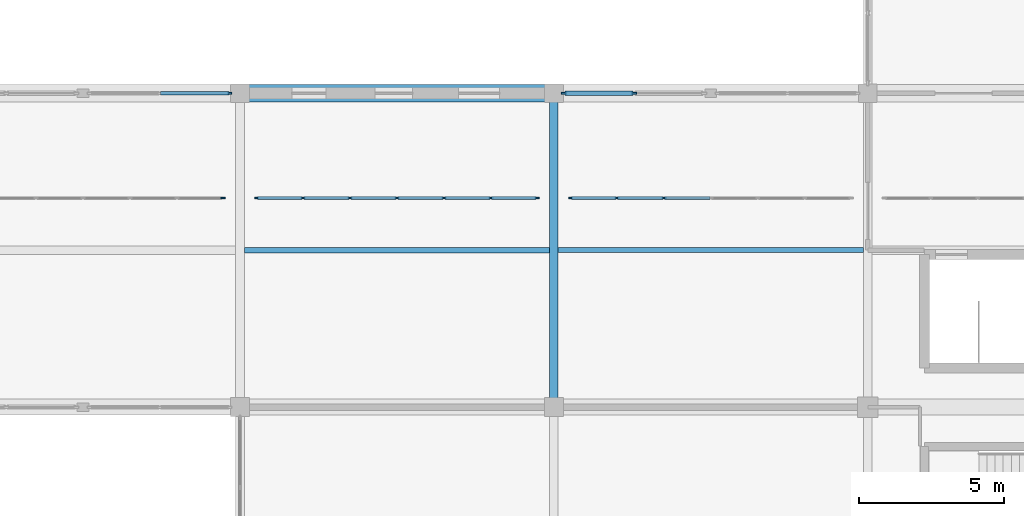
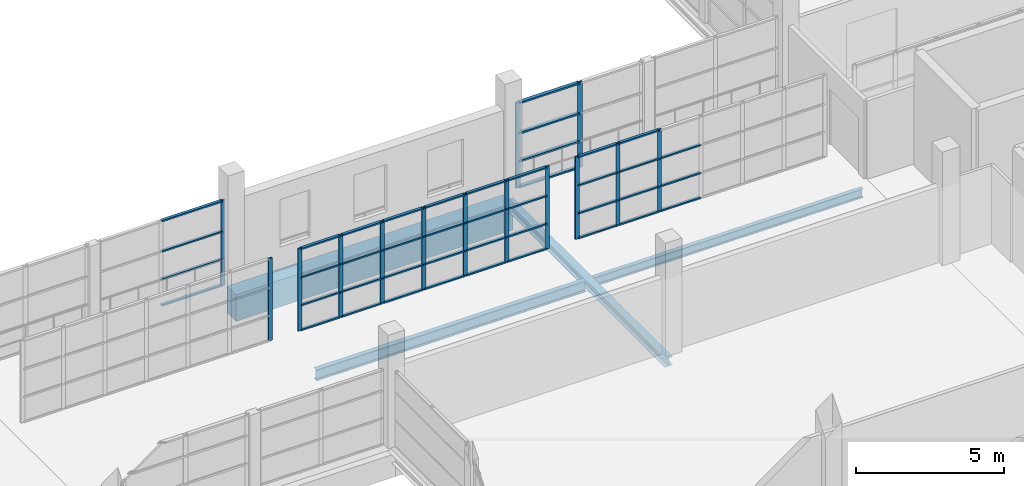
# One storey, part 59 of 142: 57 members, 4 beams, 5 elements without a shape of their own.
"""IFC4 building model written with IfcOpenShell, lengths in metres."""

from ifc_helpers import new_model, si_unit, direction, frame, origin, origin_2d, place, context, subcontext, project, spatial, rectangle, i_section, extrude, material, material_profile, profile_set, type_object, element, aggregate, save


model = new_model("IFC4")

# Units and contexts
model_context = context("Model", 3, precision=1e-05, world=origin(), true_north=direction((0.0, 1.0)))
body_context = subcontext(model_context, "Body", "Model", "MODEL_VIEW")
ifc_project = project(units=[si_unit("LENGTHUNIT", "METRE"), si_unit("AREAUNIT", "SQUARE_METRE"), si_unit("VOLUMEUNIT", "CUBIC_METRE"), si_unit("PLANEANGLEUNIT", "RADIAN"), si_unit("MASSUNIT", "GRAM", prefix="KILO")], contexts=[model_context])

# Site, building, storey
site_placement = place(None, origin())
site = spatial("IfcSite", under=ifc_project, at=site_placement, CompositionType="ELEMENT")
building_placement = place(site_placement, origin())
building = spatial("IfcBuilding", under=site, at=building_placement, Name="Zwinboog Wholesale Market", CompositionType="ELEMENT")
storey_placement = place(building_placement, frame((0.0, 0.0, 5.39990234375)))
storey = spatial("IfcBuildingStorey", under=building, at=storey_placement, Name="L01", CompositionType="ELEMENT", Elevation=5.39990234375)

# Beams
ifc_material_1 = material(Name="Precast concrete C45/55", Category="concrete")
ifc_material_profile_1 = material_profile(ifc_material_1, rectangle(XDim=0.60009765625, YDim=1.10009765625, at=origin_2d()), Name="PC 600x1100")
ifc_profile_set_1 = profile_set([ifc_material_profile_1], Name="Precast concrete C45/55")
beam_type_1 = type_object("IfcBeamType", Name="BT-01", PredefinedType="BEAM", material=ifc_profile_set_1)
beam_1_placement = place(storey_placement, frame((129.60009765625, 54.0, -0.8818359375), z_axis=(1.0, 0.0, 0.0), x_axis=(0.0, 1.0, 0.0)))
element("IfcBeam", 1, at=beam_1_placement, inside=storey, type_object=beam_type_1, Name="BG-01 (BMG-L01-1296-0540-0485)", PredefinedType="BEAM", context=body_context, shape_type="SweptSolid", body=[
    extrude(rectangle(XDim=0.60009765625, YDim=1.10009765625, at=origin_2d()), origin(), (0.0, 0.0, 1.0), 10.7998046875),
])
ifc_material_2 = material(Name="Steel S355", Category="steel")
ifc_material_profile_2 = material_profile(ifc_material_2, i_section(OverallWidth=0.300048828125, OverallDepth=0.35009765625, WebThickness=0.010009765625, FlangeThickness=0.017578125, FilletRadius=0.027099609375, at=origin_2d()), Name="HEA 360")
ifc_profile_set_2 = profile_set([ifc_material_profile_2], Name="Steel S355")
beam_type_2 = type_object("IfcBeamType", Name="BT-17", PredefinedType="BEAM", material=ifc_profile_set_2)
beam_2_placement = place(storey_placement, frame((140.39990234375, 43.199951171875, -0.5068359375), z_axis=(0.0, 1.0, 0.0), x_axis=(-1.0, 0.0, 0.0)))
element("IfcBeam", 2, at=beam_2_placement, inside=storey, type_object=beam_type_2, Name="SB-04 (BMG-L01-1404-0432-0716)", PredefinedType="BEAM", context=body_context, shape_type="SweptSolid", body=[
    extrude(i_section(OverallWidth=0.300048828125, OverallDepth=0.35009765625, WebThickness=0.010009765625, FlangeThickness=0.017578125, FilletRadius=0.027099609375, at=origin_2d()), origin(), (0.0, 0.0, 1.0), 10.800048828125),
])
ifc_material_profile_3 = material_profile(ifc_material_2, i_section(OverallWidth=0.18994140625, OverallDepth=0.449951171875, WebThickness=0.009521484375, FlangeThickness=0.0146484375, FilletRadius=0.02099609375, at=origin_2d()), Name="IPE 450")
ifc_profile_set_3 = profile_set([ifc_material_profile_3], Name="Steel S355")
beam_type_3 = type_object("IfcBeamType", Name="BT-19", PredefinedType="JOIST", material=ifc_profile_set_3)
beam_3_placement = place(storey_placement, frame((129.75, 48.60009765625, -0.556884765625), z_axis=(1.0, 0.0, 0.0), x_axis=(0.0, 1.0, 0.0)))
element("IfcBeam", 3, at=beam_3_placement, inside=storey, type_object=beam_type_3, Name="SJ-02 (BMG-L01-1298-0486-0832)", PredefinedType="JOIST", context=body_context, shape_type="SweptSolid", body=[
    extrude(i_section(OverallWidth=0.18994140625, OverallDepth=0.449951171875, WebThickness=0.009521484375, FlangeThickness=0.0146484375, FilletRadius=0.02099609375, at=origin_2d()), origin(), (0.0, 0.0, 1.0), 10.5),
])
ifc_material_profile_4 = material_profile(ifc_material_2, i_section(OverallWidth=0.169921875, OverallDepth=0.360107421875, WebThickness=0.008056640625, FlangeThickness=0.0126953125, FilletRadius=0.01806640625, at=origin_2d()), Name="IPE 360")
ifc_profile_set_4 = profile_set([ifc_material_profile_4], Name="Steel S355")
beam_type_4 = type_object("IfcBeamType", Name="BT-20", PredefinedType="JOIST", material=ifc_profile_set_4)
beam_4_placement = place(storey_placement, frame((140.550048828125, 48.60009765625, -0.511962890625), z_axis=(1.0, 0.0, 0.0), x_axis=(0.0, 1.0, 0.0)))
element("IfcBeam", 4, at=beam_4_placement, inside=storey, type_object=beam_type_4, Name="SJ-03 (BMG-L01-1406-0486-0833)", PredefinedType="JOIST", context=body_context, shape_type="SweptSolid", body=[
    extrude(i_section(OverallWidth=0.169921875, OverallDepth=0.360107421875, WebThickness=0.008056640625, FlangeThickness=0.0126953125, FilletRadius=0.01806640625, at=origin_2d()), origin(), (0.0, 0.0, 1.0), 10.5),
])

# Curtain wall, members
ifc_material_3 = material(Name="Aluminium thermally broken curtain wall", Category="aluminium")
curtain_wall_type_1 = type_object("IfcCurtainWallType", Name="CWT-HALL-24", PredefinedType="USERDEFINED", material=ifc_material_3)
curtain_wall_1_placement = place(storey_placement, origin())
curtain_wall_1 = element("IfcCurtainWall", 5, at=curtain_wall_1_placement, inside=storey, type_object=curtain_wall_type_1, Name="CW-03 (CW-L01-123)", ObjectType="UNITIZED_CURTAIN_WALL", PredefinedType="USERDEFINED")
ifc_material_4 = material(Name="Aluminium EN AW-6060", Category="aluminium")
ifc_material_profile_5 = material_profile(ifc_material_4, rectangle(XDim=0.06494140625, YDim=0.179931640625, at=origin_2d()), Name="AL 65x180")
ifc_profile_set_5 = profile_set([ifc_material_profile_5], Name="Aluminium EN AW-6060")
member_type_1 = type_object("IfcMemberType", Name="CWM-65x180", PredefinedType="MULLION", material=ifc_profile_set_5)
member_1_placement = place(storey_placement, frame((140.75244140625, 54.0, 0.0), z_axis=(0.0, 0.0, 1.0), x_axis=(0.0, 1.0, 0.0)))
member_1 = element("IfcMember", 6, at=member_1_placement, type_object=member_type_1, Name="CW-03 mullion 1", PredefinedType="MULLION", context=body_context, shape_type="SweptSolid", body=[
    extrude(rectangle(XDim=0.06494140625, YDim=0.179931640625, at=origin_2d()), origin(), (0.0, 0.0, 1.0), 3.530029296875),
])
member_2_placement = place(storey_placement, frame((143.159912109375, 54.0, 0.0), z_axis=(0.0, 0.0, 1.0), x_axis=(0.0, 1.0, 0.0)))
member_2 = element("IfcMember", 7, at=member_2_placement, type_object=member_type_1, Name="CW-03 mullion 2", PredefinedType="MULLION", context=body_context, shape_type="SweptSolid", body=[
    extrude(rectangle(XDim=0.06494140625, YDim=0.179931640625, at=origin_2d()), origin(), (0.0, 0.0, 1.0), 3.530029296875),
])

# Curtain wall, member
curtain_wall_type_2 = type_object("IfcCurtainWallType", Name="CWT-GAL-16", PredefinedType="USERDEFINED", material=ifc_material_3)
curtain_wall_2_placement = place(storey_placement, origin())
curtain_wall_2 = element("IfcCurtainWall", 8, at=curtain_wall_2_placement, inside=storey, type_object=curtain_wall_type_2, Name="CW-04 (CW-L01-112)", ObjectType="UNITIZED_CURTAIN_WALL", PredefinedType="USERDEFINED")
ifc_material_profile_6 = material_profile(ifc_material_4, rectangle(XDim=0.06005859375, YDim=0.14990234375, at=origin_2d()), Name="AL 60x150")
ifc_profile_set_6 = profile_set([ifc_material_profile_6], Name="Aluminium EN AW-6060")
member_type_2 = type_object("IfcMemberType", Name="CWM-60x150", PredefinedType="MULLION", material=ifc_profile_set_6)
member_3_placement = place(storey_placement, frame((129.25, 54.0, 0.0), z_axis=(0.0, 0.0, 1.0), x_axis=(0.0, 1.0, 0.0)))
member_3 = element("IfcMember", 9, at=member_3_placement, type_object=member_type_2, Name="CW-04 mullion 3", PredefinedType="MULLION", context=body_context, shape_type="SweptSolid", body=[
    extrude(rectangle(XDim=0.06005859375, YDim=0.14990234375, at=origin_2d()), origin(), (0.0, 0.0, 1.0), 3.530029296875),
])

# Member
ifc_material_profile_7 = material_profile(ifc_material_4, rectangle(XDim=0.139892578125, YDim=0.06494140625, at=origin_2d()), Name="AL 65x140")
ifc_profile_set_7 = profile_set([ifc_material_profile_7], Name="Aluminium EN AW-6060")
member_type_3 = type_object("IfcMemberType", Name="CWT-65x140", PredefinedType="USERDEFINED", material=ifc_profile_set_7)
member_4_placement = place(storey_placement, frame((140.784912109375, 54.0, 0.03271484375), z_axis=(1.0, 0.0, 0.0), x_axis=(0.0, 1.0, 0.0)))
member_4 = element("IfcMember", 10, at=member_4_placement, type_object=member_type_3, Name="CW-03 transom 1.1", ObjectType="TRANSOM", PredefinedType="USERDEFINED", context=body_context, shape_type="SweptSolid", body=[
    extrude(rectangle(XDim=0.139892578125, YDim=0.06494140625, at=origin_2d()), origin(), (0.0, 0.0, 1.0), 2.342529296875),
])

member_5_placement = place(storey_placement, frame((140.784912109375, 54.0, 1.10009765625), z_axis=(1.0, 0.0, 0.0), x_axis=(0.0, 1.0, 0.0)))
member_5 = element("IfcMember", 11, at=member_5_placement, type_object=member_type_3, Name="CW-03 transom 1.2", ObjectType="TRANSOM", PredefinedType="USERDEFINED", context=body_context, shape_type="SweptSolid", body=[
    extrude(rectangle(XDim=0.139892578125, YDim=0.06494140625, at=origin_2d()), origin(), (0.0, 0.0, 1.0), 2.342529296875),
])

member_6_placement = place(storey_placement, frame((140.784912109375, 54.0, 2.25), z_axis=(1.0, 0.0, 0.0), x_axis=(0.0, 1.0, 0.0)))
member_6 = element("IfcMember", 12, at=member_6_placement, type_object=member_type_3, Name="CW-03 transom 1.3", ObjectType="TRANSOM", PredefinedType="USERDEFINED", context=body_context, shape_type="SweptSolid", body=[
    extrude(rectangle(XDim=0.139892578125, YDim=0.06494140625, at=origin_2d()), origin(), (0.0, 0.0, 1.0), 2.342529296875),
])

member_7_placement = place(storey_placement, frame((140.784912109375, 54.0, 3.49755859375), z_axis=(1.0, 0.0, 0.0), x_axis=(0.0, 1.0, 0.0)))
member_7 = element("IfcMember", 13, at=member_7_placement, type_object=member_type_3, Name="CW-03 transom 1.4", ObjectType="TRANSOM", PredefinedType="USERDEFINED", context=body_context, shape_type="SweptSolid", body=[
    extrude(rectangle(XDim=0.139892578125, YDim=0.06494140625, at=origin_2d()), origin(), (0.0, 0.0, 1.0), 2.342529296875),
])

aggregate(curtain_wall_1, [member_1, member_2, member_4, member_5, member_6, member_7])

ifc_material_profile_8 = material_profile(ifc_material_4, rectangle(XDim=0.110107421875, YDim=0.06005859375, at=origin_2d()), Name="AL 60x110")
ifc_profile_set_8 = profile_set([ifc_material_profile_8], Name="Aluminium EN AW-6060")
member_type_4 = type_object("IfcMemberType", Name="CWT-60x110", PredefinedType="USERDEFINED", material=ifc_profile_set_8)
member_8_placement = place(storey_placement, frame((126.8701171875, 54.0, 0.030029296875), z_axis=(1.0, 0.0, 0.0), x_axis=(0.0, 1.0, 0.0)))
member_8 = element("IfcMember", 14, at=member_8_placement, type_object=member_type_4, Name="CW-04 transom 2.1", ObjectType="TRANSOM", PredefinedType="USERDEFINED", context=body_context, shape_type="SweptSolid", body=[
    extrude(rectangle(XDim=0.110107421875, YDim=0.06005859375, at=origin_2d()), origin(), (0.0, 0.0, 1.0), 2.349853515625),
])

member_9_placement = place(storey_placement, frame((126.8701171875, 54.0, 1.10009765625), z_axis=(1.0, 0.0, 0.0), x_axis=(0.0, 1.0, 0.0)))
member_9 = element("IfcMember", 15, at=member_9_placement, type_object=member_type_4, Name="CW-04 transom 2.2", ObjectType="TRANSOM", PredefinedType="USERDEFINED", context=body_context, shape_type="SweptSolid", body=[
    extrude(rectangle(XDim=0.110107421875, YDim=0.06005859375, at=origin_2d()), origin(), (0.0, 0.0, 1.0), 2.349853515625),
])

member_10_placement = place(storey_placement, frame((126.8701171875, 54.0, 2.25), z_axis=(1.0, 0.0, 0.0), x_axis=(0.0, 1.0, 0.0)))
member_10 = element("IfcMember", 16, at=member_10_placement, type_object=member_type_4, Name="CW-04 transom 2.3", ObjectType="TRANSOM", PredefinedType="USERDEFINED", context=body_context, shape_type="SweptSolid", body=[
    extrude(rectangle(XDim=0.110107421875, YDim=0.06005859375, at=origin_2d()), origin(), (0.0, 0.0, 1.0), 2.349853515625),
])

member_11_placement = place(storey_placement, frame((126.8701171875, 54.0, 3.5), z_axis=(1.0, 0.0, 0.0), x_axis=(0.0, 1.0, 0.0)))
member_11 = element("IfcMember", 17, at=member_11_placement, type_object=member_type_4, Name="CW-04 transom 2.4", ObjectType="TRANSOM", PredefinedType="USERDEFINED", context=body_context, shape_type="SweptSolid", body=[
    extrude(rectangle(XDim=0.110107421875, YDim=0.06005859375, at=origin_2d()), origin(), (0.0, 0.0, 1.0), 2.349853515625),
])

aggregate(curtain_wall_2, [member_3, member_8, member_9, member_10, member_11])

# Curtain wall, member
curtain_wall_type_3 = type_object("IfcCurtainWallType", Name="CWT-INT-STALL", PredefinedType="USERDEFINED", material=ifc_material_3)
curtain_wall_3_placement = place(storey_placement, origin())
curtain_wall_3 = element("IfcCurtainWall", 18, at=curtain_wall_3_placement, inside=storey, type_object=curtain_wall_type_3, Name="CW-07 (CW-STL-230)", ObjectType="STOREFRONT_GLAZING", PredefinedType="USERDEFINED")
ifc_material_profile_9 = material_profile(ifc_material_4, rectangle(XDim=0.06005859375, YDim=0.14990234375, at=origin_2d()), Name="AL 60x150")
ifc_profile_set_9 = profile_set([ifc_material_profile_9], Name="Aluminium EN AW-6060")
member_type_5 = type_object("IfcMemberType", Name="CWM-INT-60x120", PredefinedType="MULLION", material=ifc_profile_set_9)
member_12_placement = place(storey_placement, frame((129.02001953125, 50.39990234375, 0.0), z_axis=(0.0, 0.0, 1.0), x_axis=(0.0, 1.0, 0.0)))
member_12 = element("IfcMember", 19, at=member_12_placement, type_object=member_type_5, Name="CW-07 mullion 7", PredefinedType="MULLION", context=body_context, shape_type="SweptSolid", body=[
    extrude(rectangle(XDim=0.06005859375, YDim=0.14990234375, at=origin_2d()), origin(), (0.0, 0.0, 1.0), 3.400146484375),
])
aggregate(curtain_wall_3, [member_12])

# Curtain wall, members
curtain_wall_4_placement = place(storey_placement, origin())
curtain_wall_4 = element("IfcCurtainWall", 20, at=curtain_wall_4_placement, inside=storey, type_object=curtain_wall_type_3, Name="CW-07 (CW-STL-231)", ObjectType="STOREFRONT_GLAZING", PredefinedType="USERDEFINED")
member_13_placement = place(storey_placement, frame((130.179931640625, 50.39990234375, 0.0), z_axis=(0.0, 0.0, 1.0), x_axis=(0.0, 1.0, 0.0)))
member_13 = element("IfcMember", 21, at=member_13_placement, type_object=member_type_5, Name="CW-07 mullion 1", PredefinedType="MULLION", context=body_context, shape_type="SweptSolid", body=[
    extrude(rectangle(XDim=0.06005859375, YDim=0.14990234375, at=origin_2d()), origin(), (0.0, 0.0, 1.0), 3.400146484375),
])
member_14_placement = place(storey_placement, frame((131.7666015625, 50.39990234375, 0.0), z_axis=(0.0, 0.0, 1.0), x_axis=(0.0, 1.0, 0.0)))
member_14 = element("IfcMember", 22, at=member_14_placement, type_object=member_type_5, Name="CW-07 mullion 2", PredefinedType="MULLION", context=body_context, shape_type="SweptSolid", body=[
    extrude(rectangle(XDim=0.06005859375, YDim=0.14990234375, at=origin_2d()), origin(), (0.0, 0.0, 1.0), 3.400146484375),
])
member_15_placement = place(storey_placement, frame((133.38330078125, 50.39990234375, 0.0), z_axis=(0.0, 0.0, 1.0), x_axis=(0.0, 1.0, 0.0)))
member_15 = element("IfcMember", 23, at=member_15_placement, type_object=member_type_5, Name="CW-07 mullion 3", PredefinedType="MULLION", context=body_context, shape_type="SweptSolid", body=[
    extrude(rectangle(XDim=0.06005859375, YDim=0.14990234375, at=origin_2d()), origin(), (0.0, 0.0, 1.0), 3.400146484375),
])
member_16_placement = place(storey_placement, frame((135.0, 50.39990234375, 0.0), z_axis=(0.0, 0.0, 1.0), x_axis=(0.0, 1.0, 0.0)))
member_16 = element("IfcMember", 24, at=member_16_placement, type_object=member_type_5, Name="CW-07 mullion 4", PredefinedType="MULLION", context=body_context, shape_type="SweptSolid", body=[
    extrude(rectangle(XDim=0.06005859375, YDim=0.14990234375, at=origin_2d()), origin(), (0.0, 0.0, 1.0), 3.400146484375),
])
member_17_placement = place(storey_placement, frame((136.61669921875, 50.39990234375, 0.0), z_axis=(0.0, 0.0, 1.0), x_axis=(0.0, 1.0, 0.0)))
member_17 = element("IfcMember", 25, at=member_17_placement, type_object=member_type_5, Name="CW-07 mullion 5", PredefinedType="MULLION", context=body_context, shape_type="SweptSolid", body=[
    extrude(rectangle(XDim=0.06005859375, YDim=0.14990234375, at=origin_2d()), origin(), (0.0, 0.0, 1.0), 3.400146484375),
])
member_18_placement = place(storey_placement, frame((138.2333984375, 50.39990234375, 0.0), z_axis=(0.0, 0.0, 1.0), x_axis=(0.0, 1.0, 0.0)))
member_18 = element("IfcMember", 26, at=member_18_placement, type_object=member_type_5, Name="CW-07 mullion 6", PredefinedType="MULLION", context=body_context, shape_type="SweptSolid", body=[
    extrude(rectangle(XDim=0.06005859375, YDim=0.14990234375, at=origin_2d()), origin(), (0.0, 0.0, 1.0), 3.400146484375),
])
member_19_placement = place(storey_placement, frame((139.820068359375, 50.39990234375, 0.0), z_axis=(0.0, 0.0, 1.0), x_axis=(0.0, 1.0, 0.0)))
member_19 = element("IfcMember", 27, at=member_19_placement, type_object=member_type_5, Name="CW-07 mullion 7", PredefinedType="MULLION", context=body_context, shape_type="SweptSolid", body=[
    extrude(rectangle(XDim=0.06005859375, YDim=0.14990234375, at=origin_2d()), origin(), (0.0, 0.0, 1.0), 3.400146484375),
])

curtain_wall_5_placement = place(storey_placement, origin())
curtain_wall_5 = element("IfcCurtainWall", 28, at=curtain_wall_5_placement, inside=storey, type_object=curtain_wall_type_3, Name="CW-07 (CW-STL-232)", ObjectType="STOREFRONT_GLAZING", PredefinedType="USERDEFINED")
member_20_placement = place(storey_placement, frame((140.97998046875, 50.39990234375, 0.0), z_axis=(0.0, 0.0, 1.0), x_axis=(0.0, 1.0, 0.0)))
member_20 = element("IfcMember", 29, at=member_20_placement, type_object=member_type_5, Name="CW-07 mullion 1", PredefinedType="MULLION", context=body_context, shape_type="SweptSolid", body=[
    extrude(rectangle(XDim=0.06005859375, YDim=0.14990234375, at=origin_2d()), origin(), (0.0, 0.0, 1.0), 3.400146484375),
])
member_21_placement = place(storey_placement, frame((142.566650390625, 50.39990234375, 0.0), z_axis=(0.0, 0.0, 1.0), x_axis=(0.0, 1.0, 0.0)))
member_21 = element("IfcMember", 30, at=member_21_placement, type_object=member_type_5, Name="CW-07 mullion 2", PredefinedType="MULLION", context=body_context, shape_type="SweptSolid", body=[
    extrude(rectangle(XDim=0.06005859375, YDim=0.14990234375, at=origin_2d()), origin(), (0.0, 0.0, 1.0), 3.400146484375),
])
member_22_placement = place(storey_placement, frame((144.183349609375, 50.39990234375, 0.0), z_axis=(0.0, 0.0, 1.0), x_axis=(0.0, 1.0, 0.0)))
member_22 = element("IfcMember", 31, at=member_22_placement, type_object=member_type_5, Name="CW-07 mullion 3", PredefinedType="MULLION", context=body_context, shape_type="SweptSolid", body=[
    extrude(rectangle(XDim=0.06005859375, YDim=0.14990234375, at=origin_2d()), origin(), (0.0, 0.0, 1.0), 3.400146484375),
])

# Member
ifc_material_profile_10 = material_profile(ifc_material_4, rectangle(XDim=0.110107421875, YDim=0.06005859375, at=origin_2d()), Name="AL 60x110")
ifc_profile_set_10 = profile_set([ifc_material_profile_10], Name="Aluminium EN AW-6060")
member_type_6 = type_object("IfcMemberType", Name="CWT-INT-60x100", PredefinedType="USERDEFINED", material=ifc_profile_set_10)
member_23_placement = place(storey_placement, frame((130.2099609375, 50.39990234375, 0.030029296875), z_axis=(1.0, 0.0, 0.0), x_axis=(0.0, 1.0, 0.0)))
member_23 = element("IfcMember", 32, at=member_23_placement, type_object=member_type_6, Name="CW-07 transom 1.1", ObjectType="TRANSOM", PredefinedType="USERDEFINED", context=body_context, shape_type="SweptSolid", body=[
    extrude(rectangle(XDim=0.110107421875, YDim=0.06005859375, at=origin_2d()), origin(), (0.0, 0.0, 1.0), 1.526611328125),
])

member_24_placement = place(storey_placement, frame((130.2099609375, 50.39990234375, 1.050048828125), z_axis=(1.0, 0.0, 0.0), x_axis=(0.0, 1.0, 0.0)))
member_24 = element("IfcMember", 33, at=member_24_placement, type_object=member_type_6, Name="CW-07 transom 1.2", ObjectType="TRANSOM", PredefinedType="USERDEFINED", context=body_context, shape_type="SweptSolid", body=[
    extrude(rectangle(XDim=0.110107421875, YDim=0.06005859375, at=origin_2d()), origin(), (0.0, 0.0, 1.0), 1.526611328125),
])

member_25_placement = place(storey_placement, frame((130.2099609375, 50.39990234375, 2.2001953125), z_axis=(1.0, 0.0, 0.0), x_axis=(0.0, 1.0, 0.0)))
member_25 = element("IfcMember", 34, at=member_25_placement, type_object=member_type_6, Name="CW-07 transom 1.3", ObjectType="TRANSOM", PredefinedType="USERDEFINED", context=body_context, shape_type="SweptSolid", body=[
    extrude(rectangle(XDim=0.110107421875, YDim=0.06005859375, at=origin_2d()), origin(), (0.0, 0.0, 1.0), 1.526611328125),
])

member_26_placement = place(storey_placement, frame((130.2099609375, 50.39990234375, 3.3701171875), z_axis=(1.0, 0.0, 0.0), x_axis=(0.0, 1.0, 0.0)))
member_26 = element("IfcMember", 35, at=member_26_placement, type_object=member_type_6, Name="CW-07 transom 1.4", ObjectType="TRANSOM", PredefinedType="USERDEFINED", context=body_context, shape_type="SweptSolid", body=[
    extrude(rectangle(XDim=0.110107421875, YDim=0.06005859375, at=origin_2d()), origin(), (0.0, 0.0, 1.0), 1.526611328125),
])

member_27_placement = place(storey_placement, frame((131.796630859375, 50.39990234375, 0.030029296875), z_axis=(1.0, 0.0, 0.0), x_axis=(0.0, 1.0, 0.0)))
member_27 = element("IfcMember", 36, at=member_27_placement, type_object=member_type_6, Name="CW-07 transom 2.1", ObjectType="TRANSOM", PredefinedType="USERDEFINED", context=body_context, shape_type="SweptSolid", body=[
    extrude(rectangle(XDim=0.110107421875, YDim=0.06005859375, at=origin_2d()), origin(), (0.0, 0.0, 1.0), 1.556640625),
])

member_28_placement = place(storey_placement, frame((131.796630859375, 50.39990234375, 1.050048828125), z_axis=(1.0, 0.0, 0.0), x_axis=(0.0, 1.0, 0.0)))
member_28 = element("IfcMember", 37, at=member_28_placement, type_object=member_type_6, Name="CW-07 transom 2.2", ObjectType="TRANSOM", PredefinedType="USERDEFINED", context=body_context, shape_type="SweptSolid", body=[
    extrude(rectangle(XDim=0.110107421875, YDim=0.06005859375, at=origin_2d()), origin(), (0.0, 0.0, 1.0), 1.556640625),
])

member_29_placement = place(storey_placement, frame((131.796630859375, 50.39990234375, 2.2001953125), z_axis=(1.0, 0.0, 0.0), x_axis=(0.0, 1.0, 0.0)))
member_29 = element("IfcMember", 38, at=member_29_placement, type_object=member_type_6, Name="CW-07 transom 2.3", ObjectType="TRANSOM", PredefinedType="USERDEFINED", context=body_context, shape_type="SweptSolid", body=[
    extrude(rectangle(XDim=0.110107421875, YDim=0.06005859375, at=origin_2d()), origin(), (0.0, 0.0, 1.0), 1.556640625),
])

member_30_placement = place(storey_placement, frame((131.796630859375, 50.39990234375, 3.3701171875), z_axis=(1.0, 0.0, 0.0), x_axis=(0.0, 1.0, 0.0)))
member_30 = element("IfcMember", 39, at=member_30_placement, type_object=member_type_6, Name="CW-07 transom 2.4", ObjectType="TRANSOM", PredefinedType="USERDEFINED", context=body_context, shape_type="SweptSolid", body=[
    extrude(rectangle(XDim=0.110107421875, YDim=0.06005859375, at=origin_2d()), origin(), (0.0, 0.0, 1.0), 1.556640625),
])

member_31_placement = place(storey_placement, frame((133.413330078125, 50.39990234375, 0.030029296875), z_axis=(1.0, 0.0, 0.0), x_axis=(0.0, 1.0, 0.0)))
member_31 = element("IfcMember", 40, at=member_31_placement, type_object=member_type_6, Name="CW-07 transom 3.1", ObjectType="TRANSOM", PredefinedType="USERDEFINED", context=body_context, shape_type="SweptSolid", body=[
    extrude(rectangle(XDim=0.110107421875, YDim=0.06005859375, at=origin_2d()), origin(), (0.0, 0.0, 1.0), 1.556640625),
])

member_32_placement = place(storey_placement, frame((133.413330078125, 50.39990234375, 1.050048828125), z_axis=(1.0, 0.0, 0.0), x_axis=(0.0, 1.0, 0.0)))
member_32 = element("IfcMember", 41, at=member_32_placement, type_object=member_type_6, Name="CW-07 transom 3.2", ObjectType="TRANSOM", PredefinedType="USERDEFINED", context=body_context, shape_type="SweptSolid", body=[
    extrude(rectangle(XDim=0.110107421875, YDim=0.06005859375, at=origin_2d()), origin(), (0.0, 0.0, 1.0), 1.556640625),
])

member_33_placement = place(storey_placement, frame((133.413330078125, 50.39990234375, 2.2001953125), z_axis=(1.0, 0.0, 0.0), x_axis=(0.0, 1.0, 0.0)))
member_33 = element("IfcMember", 42, at=member_33_placement, type_object=member_type_6, Name="CW-07 transom 3.3", ObjectType="TRANSOM", PredefinedType="USERDEFINED", context=body_context, shape_type="SweptSolid", body=[
    extrude(rectangle(XDim=0.110107421875, YDim=0.06005859375, at=origin_2d()), origin(), (0.0, 0.0, 1.0), 1.556640625),
])

member_34_placement = place(storey_placement, frame((133.413330078125, 50.39990234375, 3.3701171875), z_axis=(1.0, 0.0, 0.0), x_axis=(0.0, 1.0, 0.0)))
member_34 = element("IfcMember", 43, at=member_34_placement, type_object=member_type_6, Name="CW-07 transom 3.4", ObjectType="TRANSOM", PredefinedType="USERDEFINED", context=body_context, shape_type="SweptSolid", body=[
    extrude(rectangle(XDim=0.110107421875, YDim=0.06005859375, at=origin_2d()), origin(), (0.0, 0.0, 1.0), 1.556640625),
])

member_35_placement = place(storey_placement, frame((135.030029296875, 50.39990234375, 0.030029296875), z_axis=(1.0, 0.0, 0.0), x_axis=(0.0, 1.0, 0.0)))
member_35 = element("IfcMember", 44, at=member_35_placement, type_object=member_type_6, Name="CW-07 transom 4.1", ObjectType="TRANSOM", PredefinedType="USERDEFINED", context=body_context, shape_type="SweptSolid", body=[
    extrude(rectangle(XDim=0.110107421875, YDim=0.06005859375, at=origin_2d()), origin(), (0.0, 0.0, 1.0), 1.556640625),
])

member_36_placement = place(storey_placement, frame((135.030029296875, 50.39990234375, 1.050048828125), z_axis=(1.0, 0.0, 0.0), x_axis=(0.0, 1.0, 0.0)))
member_36 = element("IfcMember", 45, at=member_36_placement, type_object=member_type_6, Name="CW-07 transom 4.2", ObjectType="TRANSOM", PredefinedType="USERDEFINED", context=body_context, shape_type="SweptSolid", body=[
    extrude(rectangle(XDim=0.110107421875, YDim=0.06005859375, at=origin_2d()), origin(), (0.0, 0.0, 1.0), 1.556640625),
])

member_37_placement = place(storey_placement, frame((135.030029296875, 50.39990234375, 2.2001953125), z_axis=(1.0, 0.0, 0.0), x_axis=(0.0, 1.0, 0.0)))
member_37 = element("IfcMember", 46, at=member_37_placement, type_object=member_type_6, Name="CW-07 transom 4.3", ObjectType="TRANSOM", PredefinedType="USERDEFINED", context=body_context, shape_type="SweptSolid", body=[
    extrude(rectangle(XDim=0.110107421875, YDim=0.06005859375, at=origin_2d()), origin(), (0.0, 0.0, 1.0), 1.556640625),
])

member_38_placement = place(storey_placement, frame((135.030029296875, 50.39990234375, 3.3701171875), z_axis=(1.0, 0.0, 0.0), x_axis=(0.0, 1.0, 0.0)))
member_38 = element("IfcMember", 47, at=member_38_placement, type_object=member_type_6, Name="CW-07 transom 4.4", ObjectType="TRANSOM", PredefinedType="USERDEFINED", context=body_context, shape_type="SweptSolid", body=[
    extrude(rectangle(XDim=0.110107421875, YDim=0.06005859375, at=origin_2d()), origin(), (0.0, 0.0, 1.0), 1.556640625),
])

member_39_placement = place(storey_placement, frame((136.646728515625, 50.39990234375, 0.030029296875), z_axis=(1.0, 0.0, 0.0), x_axis=(0.0, 1.0, 0.0)))
member_39 = element("IfcMember", 48, at=member_39_placement, type_object=member_type_6, Name="CW-07 transom 5.1", ObjectType="TRANSOM", PredefinedType="USERDEFINED", context=body_context, shape_type="SweptSolid", body=[
    extrude(rectangle(XDim=0.110107421875, YDim=0.06005859375, at=origin_2d()), origin(), (0.0, 0.0, 1.0), 1.556640625),
])

member_40_placement = place(storey_placement, frame((136.646728515625, 50.39990234375, 1.050048828125), z_axis=(1.0, 0.0, 0.0), x_axis=(0.0, 1.0, 0.0)))
member_40 = element("IfcMember", 49, at=member_40_placement, type_object=member_type_6, Name="CW-07 transom 5.2", ObjectType="TRANSOM", PredefinedType="USERDEFINED", context=body_context, shape_type="SweptSolid", body=[
    extrude(rectangle(XDim=0.110107421875, YDim=0.06005859375, at=origin_2d()), origin(), (0.0, 0.0, 1.0), 1.556640625),
])

member_41_placement = place(storey_placement, frame((136.646728515625, 50.39990234375, 2.2001953125), z_axis=(1.0, 0.0, 0.0), x_axis=(0.0, 1.0, 0.0)))
member_41 = element("IfcMember", 50, at=member_41_placement, type_object=member_type_6, Name="CW-07 transom 5.3", ObjectType="TRANSOM", PredefinedType="USERDEFINED", context=body_context, shape_type="SweptSolid", body=[
    extrude(rectangle(XDim=0.110107421875, YDim=0.06005859375, at=origin_2d()), origin(), (0.0, 0.0, 1.0), 1.556640625),
])

member_42_placement = place(storey_placement, frame((136.646728515625, 50.39990234375, 3.3701171875), z_axis=(1.0, 0.0, 0.0), x_axis=(0.0, 1.0, 0.0)))
member_42 = element("IfcMember", 51, at=member_42_placement, type_object=member_type_6, Name="CW-07 transom 5.4", ObjectType="TRANSOM", PredefinedType="USERDEFINED", context=body_context, shape_type="SweptSolid", body=[
    extrude(rectangle(XDim=0.110107421875, YDim=0.06005859375, at=origin_2d()), origin(), (0.0, 0.0, 1.0), 1.556640625),
])

member_43_placement = place(storey_placement, frame((138.263427734375, 50.39990234375, 0.030029296875), z_axis=(1.0, 0.0, 0.0), x_axis=(0.0, 1.0, 0.0)))
member_43 = element("IfcMember", 52, at=member_43_placement, type_object=member_type_6, Name="CW-07 transom 6.1", ObjectType="TRANSOM", PredefinedType="USERDEFINED", context=body_context, shape_type="SweptSolid", body=[
    extrude(rectangle(XDim=0.110107421875, YDim=0.06005859375, at=origin_2d()), origin(), (0.0, 0.0, 1.0), 1.526611328125),
])

member_44_placement = place(storey_placement, frame((138.263427734375, 50.39990234375, 1.050048828125), z_axis=(1.0, 0.0, 0.0), x_axis=(0.0, 1.0, 0.0)))
member_44 = element("IfcMember", 53, at=member_44_placement, type_object=member_type_6, Name="CW-07 transom 6.2", ObjectType="TRANSOM", PredefinedType="USERDEFINED", context=body_context, shape_type="SweptSolid", body=[
    extrude(rectangle(XDim=0.110107421875, YDim=0.06005859375, at=origin_2d()), origin(), (0.0, 0.0, 1.0), 1.526611328125),
])

member_45_placement = place(storey_placement, frame((138.263427734375, 50.39990234375, 2.2001953125), z_axis=(1.0, 0.0, 0.0), x_axis=(0.0, 1.0, 0.0)))
member_45 = element("IfcMember", 54, at=member_45_placement, type_object=member_type_6, Name="CW-07 transom 6.3", ObjectType="TRANSOM", PredefinedType="USERDEFINED", context=body_context, shape_type="SweptSolid", body=[
    extrude(rectangle(XDim=0.110107421875, YDim=0.06005859375, at=origin_2d()), origin(), (0.0, 0.0, 1.0), 1.526611328125),
])

member_46_placement = place(storey_placement, frame((138.263427734375, 50.39990234375, 3.3701171875), z_axis=(1.0, 0.0, 0.0), x_axis=(0.0, 1.0, 0.0)))
member_46 = element("IfcMember", 55, at=member_46_placement, type_object=member_type_6, Name="CW-07 transom 6.4", ObjectType="TRANSOM", PredefinedType="USERDEFINED", context=body_context, shape_type="SweptSolid", body=[
    extrude(rectangle(XDim=0.110107421875, YDim=0.06005859375, at=origin_2d()), origin(), (0.0, 0.0, 1.0), 1.526611328125),
])

aggregate(curtain_wall_4, [member_13, member_14, member_15, member_16, member_17, member_18, member_19, member_23, member_24, member_25, member_26, member_27, member_28, member_29, member_30, member_31, member_32, member_33, member_34, member_35, member_36, member_37, member_38, member_39, member_40, member_41, member_42, member_43, member_44, member_45, member_46])

member_47_placement = place(storey_placement, frame((141.010009765625, 50.39990234375, 0.030029296875), z_axis=(1.0, 0.0, 0.0), x_axis=(0.0, 1.0, 0.0)))
member_47 = element("IfcMember", 56, at=member_47_placement, type_object=member_type_6, Name="CW-07 transom 1.1", ObjectType="TRANSOM", PredefinedType="USERDEFINED", context=body_context, shape_type="SweptSolid", body=[
    extrude(rectangle(XDim=0.110107421875, YDim=0.06005859375, at=origin_2d()), origin(), (0.0, 0.0, 1.0), 1.526611328125),
])

member_48_placement = place(storey_placement, frame((141.010009765625, 50.39990234375, 1.050048828125), z_axis=(1.0, 0.0, 0.0), x_axis=(0.0, 1.0, 0.0)))
member_48 = element("IfcMember", 57, at=member_48_placement, type_object=member_type_6, Name="CW-07 transom 1.2", ObjectType="TRANSOM", PredefinedType="USERDEFINED", context=body_context, shape_type="SweptSolid", body=[
    extrude(rectangle(XDim=0.110107421875, YDim=0.06005859375, at=origin_2d()), origin(), (0.0, 0.0, 1.0), 1.526611328125),
])

member_49_placement = place(storey_placement, frame((141.010009765625, 50.39990234375, 2.2001953125), z_axis=(1.0, 0.0, 0.0), x_axis=(0.0, 1.0, 0.0)))
member_49 = element("IfcMember", 58, at=member_49_placement, type_object=member_type_6, Name="CW-07 transom 1.3", ObjectType="TRANSOM", PredefinedType="USERDEFINED", context=body_context, shape_type="SweptSolid", body=[
    extrude(rectangle(XDim=0.110107421875, YDim=0.06005859375, at=origin_2d()), origin(), (0.0, 0.0, 1.0), 1.526611328125),
])

member_50_placement = place(storey_placement, frame((141.010009765625, 50.39990234375, 3.3701171875), z_axis=(1.0, 0.0, 0.0), x_axis=(0.0, 1.0, 0.0)))
member_50 = element("IfcMember", 59, at=member_50_placement, type_object=member_type_6, Name="CW-07 transom 1.4", ObjectType="TRANSOM", PredefinedType="USERDEFINED", context=body_context, shape_type="SweptSolid", body=[
    extrude(rectangle(XDim=0.110107421875, YDim=0.06005859375, at=origin_2d()), origin(), (0.0, 0.0, 1.0), 1.526611328125),
])

member_51_placement = place(storey_placement, frame((142.5966796875, 50.39990234375, 0.030029296875), z_axis=(1.0, 0.0, 0.0), x_axis=(0.0, 1.0, 0.0)))
member_51 = element("IfcMember", 60, at=member_51_placement, type_object=member_type_6, Name="CW-07 transom 2.1", ObjectType="TRANSOM", PredefinedType="USERDEFINED", context=body_context, shape_type="SweptSolid", body=[
    extrude(rectangle(XDim=0.110107421875, YDim=0.06005859375, at=origin_2d()), origin(), (0.0, 0.0, 1.0), 1.556640625),
])

member_52_placement = place(storey_placement, frame((142.5966796875, 50.39990234375, 1.050048828125), z_axis=(1.0, 0.0, 0.0), x_axis=(0.0, 1.0, 0.0)))
member_52 = element("IfcMember", 61, at=member_52_placement, type_object=member_type_6, Name="CW-07 transom 2.2", ObjectType="TRANSOM", PredefinedType="USERDEFINED", context=body_context, shape_type="SweptSolid", body=[
    extrude(rectangle(XDim=0.110107421875, YDim=0.06005859375, at=origin_2d()), origin(), (0.0, 0.0, 1.0), 1.556640625),
])

member_53_placement = place(storey_placement, frame((142.5966796875, 50.39990234375, 2.2001953125), z_axis=(1.0, 0.0, 0.0), x_axis=(0.0, 1.0, 0.0)))
member_53 = element("IfcMember", 62, at=member_53_placement, type_object=member_type_6, Name="CW-07 transom 2.3", ObjectType="TRANSOM", PredefinedType="USERDEFINED", context=body_context, shape_type="SweptSolid", body=[
    extrude(rectangle(XDim=0.110107421875, YDim=0.06005859375, at=origin_2d()), origin(), (0.0, 0.0, 1.0), 1.556640625),
])

member_54_placement = place(storey_placement, frame((142.5966796875, 50.39990234375, 3.3701171875), z_axis=(1.0, 0.0, 0.0), x_axis=(0.0, 1.0, 0.0)))
member_54 = element("IfcMember", 63, at=member_54_placement, type_object=member_type_6, Name="CW-07 transom 2.4", ObjectType="TRANSOM", PredefinedType="USERDEFINED", context=body_context, shape_type="SweptSolid", body=[
    extrude(rectangle(XDim=0.110107421875, YDim=0.06005859375, at=origin_2d()), origin(), (0.0, 0.0, 1.0), 1.556640625),
])

member_55_placement = place(storey_placement, frame((144.21337890625, 50.39990234375, 0.030029296875), z_axis=(1.0, 0.0, 0.0), x_axis=(0.0, 1.0, 0.0)))
member_55 = element("IfcMember", 64, at=member_55_placement, type_object=member_type_6, Name="CW-07 transom 3.1", ObjectType="TRANSOM", PredefinedType="USERDEFINED", context=body_context, shape_type="SweptSolid", body=[
    extrude(rectangle(XDim=0.110107421875, YDim=0.06005859375, at=origin_2d()), origin(), (0.0, 0.0, 1.0), 1.556640625),
])

member_56_placement = place(storey_placement, frame((144.21337890625, 50.39990234375, 1.050048828125), z_axis=(1.0, 0.0, 0.0), x_axis=(0.0, 1.0, 0.0)))
member_56 = element("IfcMember", 65, at=member_56_placement, type_object=member_type_6, Name="CW-07 transom 3.2", ObjectType="TRANSOM", PredefinedType="USERDEFINED", context=body_context, shape_type="SweptSolid", body=[
    extrude(rectangle(XDim=0.110107421875, YDim=0.06005859375, at=origin_2d()), origin(), (0.0, 0.0, 1.0), 1.556640625),
])

member_57_placement = place(storey_placement, frame((144.21337890625, 50.39990234375, 2.2001953125), z_axis=(1.0, 0.0, 0.0), x_axis=(0.0, 1.0, 0.0)))
member_57 = element("IfcMember", 66, at=member_57_placement, type_object=member_type_6, Name="CW-07 transom 3.3", ObjectType="TRANSOM", PredefinedType="USERDEFINED", context=body_context, shape_type="SweptSolid", body=[
    extrude(rectangle(XDim=0.110107421875, YDim=0.06005859375, at=origin_2d()), origin(), (0.0, 0.0, 1.0), 1.556640625),
])

aggregate(curtain_wall_5, [member_20, member_21, member_22, member_47, member_48, member_49, member_50, member_51, member_52, member_53, member_54, member_55, member_56, member_57])

save(model, "model.ifc")
